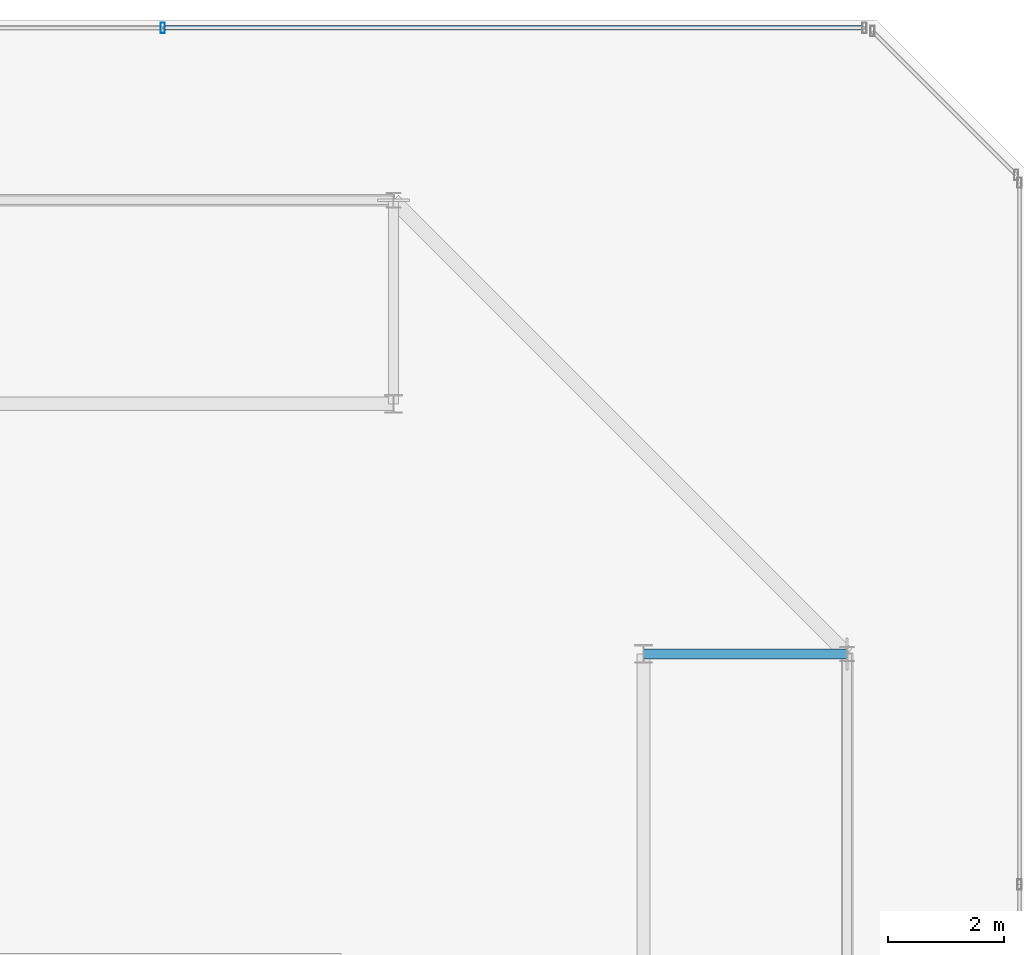
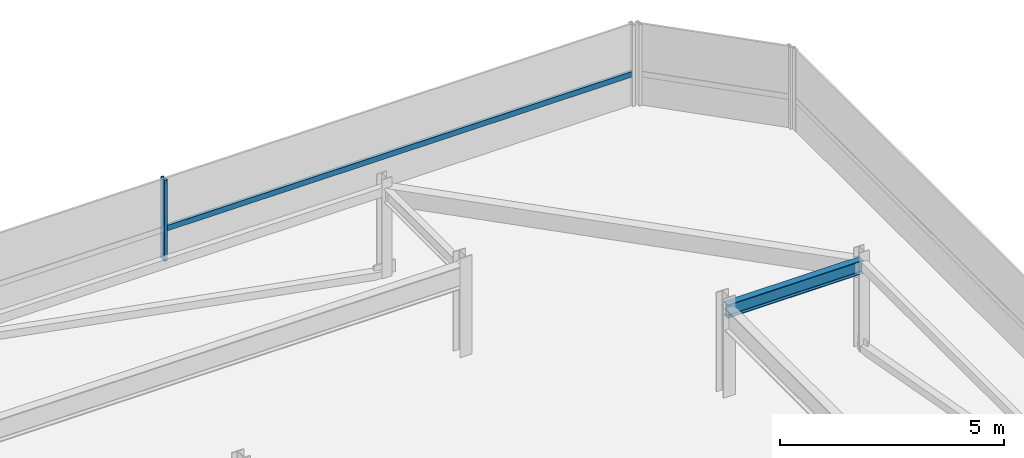
# One storey, part 37 of 44: 2 members, 1 beam, 1 element without a shape of its own.
"""IFC4 building model written with IfcOpenShell, lengths in metres."""

import ifcopenshell
import ifcopenshell.guid

model = None  # the IFC model being written
_history = None  # IfcOwnerHistory: only IFC2X3 demands one
_inside = {}  # id of a spatial element -> (the spatial element, [elements in it])
_under = {}  # id of a project, library or spatial element -> (it, [spatial elements below it])
_declared = {}  # id of a project -> (the project, [libraries it declares])
_typed = {}  # id of a type object -> (the type object, [elements of that type])
_made_of = {}  # id of a material, layer set ... -> (it, [elements and type objects made of it])


def new_model(schema):
    """Start an empty IFC model of exactly this schema.

    Asked for "IFC4X3", IfcOpenShell would pick the latest addendum, in which some entities
    have other attributes; the version numbers below select the first issue.
    IFC2X3 requires an IfcOwnerHistory on every rooted entity: one is made here for all.
    """
    global model, _history
    if schema == "IFC4X3":
        model = ifcopenshell.file(schema_version=(4, 3, 0, 0))
    else:
        model = ifcopenshell.file(schema=schema)
    _inside.clear()
    _under.clear()
    _declared.clear()
    _typed.clear()
    _made_of.clear()
    _history = None
    if model.schema == "IFC2X3":
        org = make("IfcOrganization", Name="unknown")
        user = make(
            "IfcPersonAndOrganization",
            ThePerson=make("IfcPerson", FamilyName="unknown"),
            TheOrganization=org,
        )
        app = make(
            "IfcApplication",
            ApplicationDeveloper=org,
            Version="unknown",
            ApplicationFullName="unknown",
            ApplicationIdentifier="unknown",
        )
        _history = make(
            "IfcOwnerHistory",
            OwningUser=user,
            OwningApplication=app,
            ChangeAction="ADDED",
            CreationDate=0,
        )
    return model


def make(cls, **values):
    """One entity of the class cls with the attributes given. An attribute that is None is left unset."""
    return model.create_entity(
        cls, **{name: value for name, value in values.items() if value is not None}
    )


def rooted(cls, **values):
    """An entity with a GlobalId (a new one), such as an element, a storey or a relation."""
    return make(cls, GlobalId=ifcopenshell.guid.new(), OwnerHistory=_history, **values)


def si_unit(unit_type, name, prefix=None):
    """IfcSIUnit, for example si_unit("LENGTHUNIT", "METRE", prefix="MILLI")."""
    return make("IfcSIUnit", UnitType=unit_type, Prefix=prefix, Name=name)


def assignment(units):
    """IfcUnitAssignment: the units of a project."""
    return None if units is None else make("IfcUnitAssignment", Units=units)


def point(xyz):
    """IfcCartesianPoint."""
    return None if xyz is None else make("IfcCartesianPoint", Coordinates=xyz)


def direction(xyz):
    """IfcDirection."""
    return None if xyz is None else make("IfcDirection", DirectionRatios=xyz)


def frame(location, z_axis=None, x_axis=None):
    """IfcAxis2Placement3D, a coordinate frame: its origin and axes. An axis left out is left unset."""
    return make(
        "IfcAxis2Placement3D",
        Location=point(location),
        Axis=direction(z_axis),
        RefDirection=direction(x_axis),
    )


def frame_2d(location, x_axis=None):
    """IfcAxis2Placement2D, a coordinate frame in the plane: its origin and x axis."""
    return make(
        "IfcAxis2Placement2D", Location=point(location), RefDirection=direction(x_axis)
    )


def origin():
    """The frame at (0, 0, 0) with its axes left unset."""
    return frame((0.0, 0.0, 0.0))


def origin_2d():
    """The frame at (0, 0) in the plane with its x axis left unset."""
    return frame_2d((0.0, 0.0))


def place(relative_to, where):
    """IfcLocalPlacement: puts the frame where relative to a parent placement (None: the world)."""
    return make(
        "IfcLocalPlacement", PlacementRelTo=relative_to, RelativePlacement=where
    )


def context(
    kind, dimensions, precision=None, world=None, true_north=None, identifier=None
):
    """IfcGeometricRepresentationContext, for example the 3D "Model" context."""
    return make(
        "IfcGeometricRepresentationContext",
        ContextIdentifier=identifier,
        ContextType=kind,
        CoordinateSpaceDimension=dimensions,
        Precision=precision,
        WorldCoordinateSystem=world,
        TrueNorth=true_north,
    )


def subcontext(parent, identifier, kind, view, scale=None):
    """IfcGeometricRepresentationSubContext, for example "Body" below "Model"."""
    return make(
        "IfcGeometricRepresentationSubContext",
        ContextIdentifier=identifier,
        ContextType=kind,
        ParentContext=parent,
        TargetScale=scale,
        TargetView=view,
    )


def project(units=None, contexts=None):
    """IfcProject with its units and contexts."""
    return rooted(
        "IfcProject",
        Name="project",
        RepresentationContexts=contexts,
        UnitsInContext=assignment(units),
    )


def spatial(cls, under=None, at=None, **own):
    """A site, building, storey or space (cls), placed at a placement, below another one or the project."""
    s = rooted(cls, ObjectPlacement=at, **own)
    if under is not None:
        _under.setdefault(under.id(), (under, []))[1].append(s)
    return s


def profile(cls, at=None, kind="AREA", **sizes):
    """A parametric profile (cls). Its sizes go by their IFC names, for example OverallWidth=200.0."""
    return make(cls, ProfileType=kind, Position=at, **sizes)


def hollow_rectangle(**sizes):
    """IfcRectangleHollowProfileDef."""
    return profile("IfcRectangleHollowProfileDef", **sizes)


def i_section(**sizes):
    """IfcIShapeProfileDef."""
    return profile("IfcIShapeProfileDef", **sizes)


def extrude(swept, where, along, depth):
    """IfcExtrudedAreaSolid: the profile swept, set in the frame where, extruded along a direction by depth."""
    return make(
        "IfcExtrudedAreaSolid",
        SweptArea=swept,
        Position=where,
        ExtrudedDirection=direction(along),
        Depth=depth,
    )


def shape(context_of_items, identifier, shape_type, items):
    """IfcShapeRepresentation: the items that make up one representation, for example the "Body"."""
    return make(
        "IfcShapeRepresentation",
        ContextOfItems=context_of_items,
        RepresentationIdentifier=identifier,
        RepresentationType=shape_type,
        Items=items,
    )


def material(Name=None, Category=None):
    """IfcMaterial."""
    return make("IfcMaterial", Name=Name, Category=Category)


def material_profile(
    of_material, cross_section, Name=None, Category=None, Priority=None
):
    """IfcMaterialProfile: a cross section and its material."""
    return make(
        "IfcMaterialProfile",
        Name=Name,
        Material=of_material,
        Profile=cross_section,
        Priority=Priority,
        Category=Category,
    )


def profile_set(profiles, Name=None, composite=None):
    """IfcMaterialProfileSet."""
    return make(
        "IfcMaterialProfileSet",
        Name=Name,
        MaterialProfiles=profiles,
        CompositeProfile=composite,
    )


def made_of(thing, what):
    """Note that an element or type object is made of a material, layer set ...; save() writes the relation."""
    if what is not None:
        _made_of.setdefault(what.id(), (what, []))[1].append(thing)
    return thing


def type_object(cls, material=None, **own):
    """A type object (cls), such as IfcWallType, which elements share."""
    return made_of(rooted(cls, **own), material)


def element(
    cls,
    number,
    at=None,
    inside=None,
    cuts=None,
    type_object=None,
    material=None,
    context=None,
    identifier="Body",
    shape_type=None,
    held_by="IfcProductDefinitionShape",
    body=None,
    shapes=None,
    **own,
):
    """One element of the class cls, such as IfcWall. Its Tag is "e" and its number.

    at: its placement. inside: the storey or other place that contains it. cuts: it is an
    opening in that element (IfcRelVoidsElement). A single representation is given by context,
    identifier, shape_type and body (its items); several are given by shapes. held_by: the class
    of the entity that holds the representations. save() writes the other relations.
    """
    e = rooted(cls, Tag="e%d" % number, ObjectPlacement=at, **own)
    if body is not None:
        shapes = [shape(context, identifier, shape_type, body)]
    if shapes is not None:
        e.Representation = make(held_by, Representations=shapes)
    if inside is not None:
        _inside.setdefault(inside.id(), (inside, []))[1].append(e)
    if cuts is not None:
        rooted(
            "IfcRelVoidsElement", RelatingBuildingElement=cuts, RelatedOpeningElement=e
        )
    if type_object is not None:
        _typed.setdefault(type_object.id(), (type_object, []))[1].append(e)
    return made_of(e, material)


def aggregate(whole, parts):
    """IfcRelAggregates: a whole, such as a stair, and the parts it consists of."""
    return rooted("IfcRelAggregates", RelatingObject=whole, RelatedObjects=parts)


def save(model, path):
    """Write the relations noted so far, then the file.

    IfcRelAggregates (storeys below a building ...), IfcRelContainedInSpatialStructure (elements
    in a storey), IfcRelDefinesByType, IfcRelAssociatesMaterial and IfcRelDeclares: one each for
    every whole, place, type object, material and project.
    """
    for whole, parts in _under.values():
        aggregate(whole, parts)
    for where, things in _inside.values():
        rooted(
            "IfcRelContainedInSpatialStructure",
            RelatedElements=things,
            RelatingStructure=where,
        )
    for kind, things in _typed.values():
        rooted("IfcRelDefinesByType", RelatedObjects=things, RelatingType=kind)
    for what, things in _made_of.values():
        rooted("IfcRelAssociatesMaterial", RelatedObjects=things, RelatingMaterial=what)
    for by, libraries in _declared.values():
        rooted("IfcRelDeclares", RelatingContext=by, RelatedDefinitions=libraries)
    model.write(path)


model = new_model("IFC4")

# Units and contexts
model_context = context("Model", 3, precision=1e-05, world=origin(), true_north=direction((0.0, 1.0)))
body_context = subcontext(model_context, "Body", "Model", "MODEL_VIEW")
ifc_project = project(units=[si_unit("LENGTHUNIT", "METRE"), si_unit("AREAUNIT", "SQUARE_METRE"), si_unit("VOLUMEUNIT", "CUBIC_METRE"), si_unit("PLANEANGLEUNIT", "RADIAN"), si_unit("MASSUNIT", "GRAM", prefix="KILO")], contexts=[model_context])

# Site, building, storey
site_placement = place(None, origin())
site = spatial("IfcSite", under=ifc_project, at=site_placement, CompositionType="ELEMENT")
building_placement = place(site_placement, origin())
building = spatial("IfcBuilding", under=site, at=building_placement, Name="Thornwick Lancets Civic Towers", CompositionType="ELEMENT")
storey_placement = place(building_placement, frame((0.0, 0.0, 292.199951171875)))
storey = spatial("IfcBuildingStorey", under=building, at=storey_placement, Name="C05", CompositionType="ELEMENT", Elevation=292.199951171875)

# Beam
ifc_material_1 = material(Name="Steel S355JR", Category="steel")
ifc_material_profile_1 = material_profile(ifc_material_1, i_section(OverallWidth=0.173095703125, OverallDepth=0.36328125, WebThickness=0.009033203125, FlangeThickness=0.015625, FilletRadius=0.01025390625, at=origin_2d()), Name="UKB 356x171x67")
ifc_profile_set_1 = profile_set([ifc_material_profile_1], Name="Steel S355JR")
beam_type = type_object("IfcBeamType", Name="BM_JOIST_356_67", PredefinedType="JOIST", material=ifc_profile_set_1)
beam_placement = place(storey_placement, frame((105.800048828125, 40.0, 2.25830078125), z_axis=(1.0, 0.0, 0.0), x_axis=(0.0, 1.0, 0.0)))
element("IfcBeam", 1, at=beam_placement, inside=storey, type_object=beam_type, Name="BM-RAD-C05-B03", PredefinedType="JOIST", context=body_context, shape_type="SweptSolid", body=[
    extrude(i_section(OverallWidth=0.173095703125, OverallDepth=0.36328125, WebThickness=0.009033203125, FlangeThickness=0.015625, FilletRadius=0.01025390625, at=origin_2d()), origin(), (0.0, 0.0, 1.0), 3.5),
])

# Curtain wall, members
ifc_material_2 = material(Name="Crown ring acoustic-louvre and glazing screen wall", Category="glass")
curtain_wall_type = type_object("IfcCurtainWallType", Name="CW_SYS_07", PredefinedType="NOTDEFINED", material=ifc_material_2)
curtain_wall_placement = place(storey_placement, origin())
curtain_wall = element("IfcCurtainWall", 2, at=curtain_wall_placement, inside=storey, type_object=curtain_wall_type, Name="C05 Curtain Wall CW-C05-B-E4", PredefinedType="NOTDEFINED")
ifc_material_3 = material(Name="Thermally broken bronze aluminium S355", Category="steel")
ifc_material_profile_2 = material_profile(ifc_material_3, hollow_rectangle(XDim=0.074951171875, YDim=0.179931640625, WallThickness=0.006103515625, at=origin_2d()), Name="RHS 180x75x6")
ifc_profile_set_2 = profile_set([ifc_material_profile_2], Name="Thermally broken bronze aluminium S355")
member_type_1 = type_object("IfcMemberType", Name="CW_MUL_180", PredefinedType="MULLION", material=ifc_profile_set_2)
member_1_placement = place(storey_placement, frame((97.53369140625, 50.7646484375, 0.0), z_axis=(0.0, 0.0, 1.0), x_axis=(1.0, 0.0, 0.0)))
member_1 = element("IfcMember", 3, at=member_1_placement, type_object=member_type_1, Name="CW-C05-B-E4 Mullion 1", PredefinedType="MULLION", context=body_context, shape_type="SweptSolid", body=[
    extrude(hollow_rectangle(XDim=0.074951171875, YDim=0.179931640625, WallThickness=0.006103515625, at=origin_2d()), origin(), (0.0, 0.0, 1.0), 2.219970703125),
])
ifc_material_profile_3 = material_profile(ifc_material_3, hollow_rectangle(XDim=0.074951171875, YDim=0.14990234375, WallThickness=0.0048828125, at=origin_2d()), Name="RHS 150x75x5")
ifc_profile_set_3 = profile_set([ifc_material_profile_3], Name="Thermally broken bronze aluminium S355")
member_type_2 = type_object("IfcMemberType", Name="CW_TRN_150", PredefinedType="USERDEFINED", material=ifc_profile_set_3)
member_2_placement = place(storey_placement, frame((109.581298828125, 50.7646484375, 0.85009765625), z_axis=(-1.0, 0.0, 0.0), x_axis=(0.0, -1.0, 0.0)))
member_2 = element("IfcMember", 4, at=member_2_placement, type_object=member_type_2, Name="CW-C05-B-E4 Transom 0", ObjectType="TRANSOM", PredefinedType="USERDEFINED", context=body_context, shape_type="SweptSolid", body=[
    extrude(hollow_rectangle(XDim=0.074951171875, YDim=0.14990234375, WallThickness=0.0048828125, at=origin_2d()), origin(), (0.0, 0.0, 1.0), 12.027587890625),
])
aggregate(curtain_wall, [member_1, member_2])

save(model, "model.ifc")
